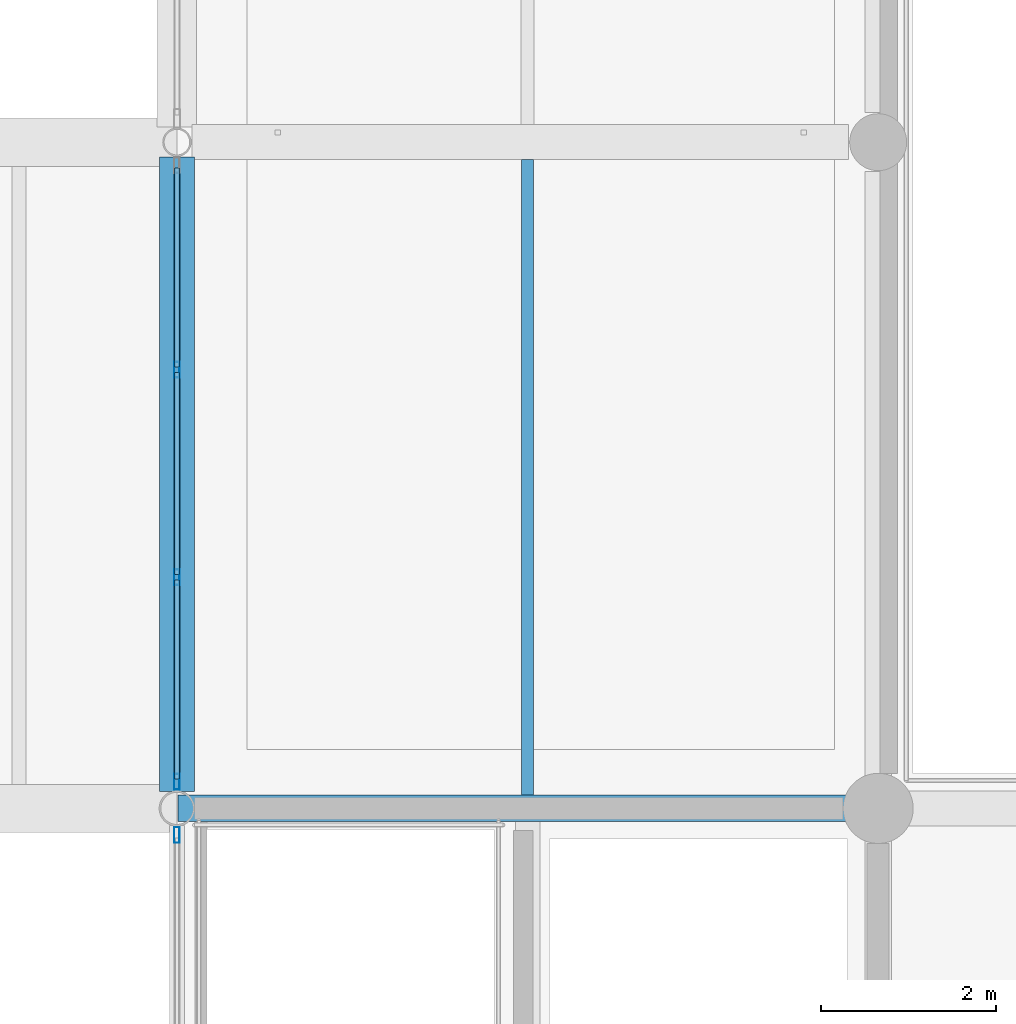
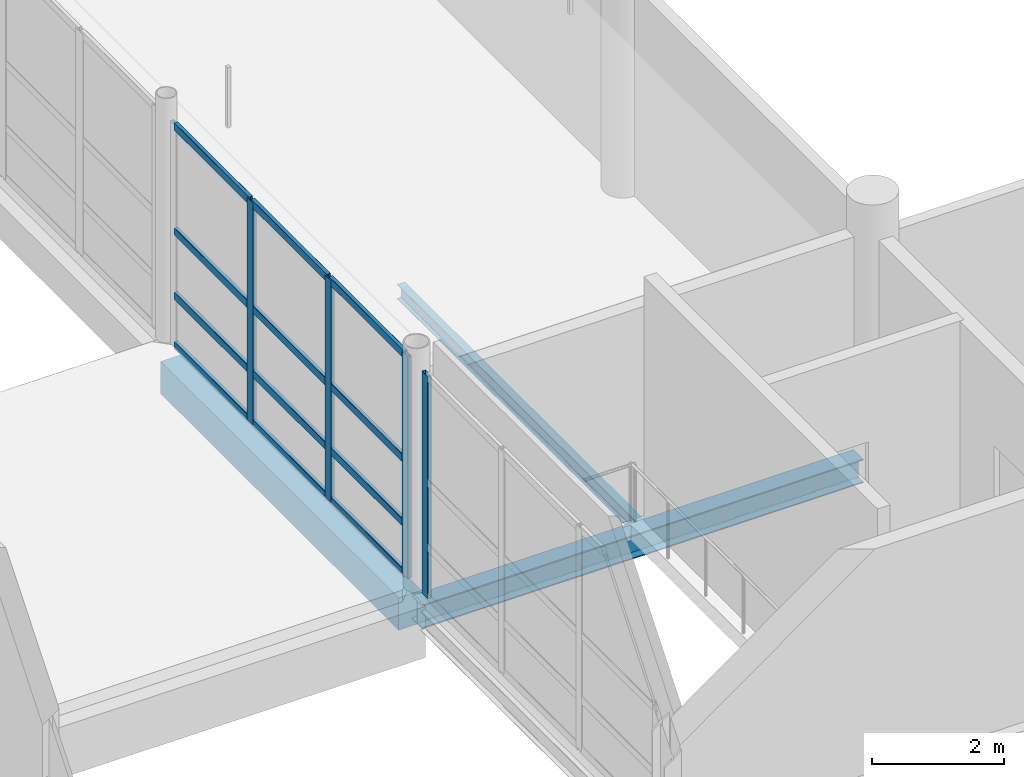
# One storey, part 29 of 107: 16 members, 3 beams, 2 elements without a shape of their own.
"""IFC4 building model written with IfcOpenShell, lengths in metres."""

from ifc_helpers import new_model, si_unit, direction, frame, origin, origin_2d, place, context, subcontext, project, spatial, rectangle, hollow_rectangle, i_section, extrude, material, material_profile, profile_set, type_object, element, aggregate, save


model = new_model("IFC4")

# Units and contexts
model_context = context("Model", 3, precision=1e-05, world=origin(), true_north=direction((0.0, 1.0)))
body_context = subcontext(model_context, "Body", "Model", "MODEL_VIEW")
ifc_project = project(units=[si_unit("LENGTHUNIT", "METRE"), si_unit("AREAUNIT", "SQUARE_METRE"), si_unit("VOLUMEUNIT", "CUBIC_METRE"), si_unit("PLANEANGLEUNIT", "RADIAN"), si_unit("MASSUNIT", "GRAM", prefix="KILO")], contexts=[model_context])

# Site, building, storey
site_placement = place(None, origin())
site = spatial("IfcSite", under=ifc_project, at=site_placement, CompositionType="ELEMENT")
building_placement = place(site_placement, origin())
building = spatial("IfcBuilding", under=site, at=building_placement, Name="Khelvaren Railside Concert Hall", CompositionType="ELEMENT")
storey_placement = place(building_placement, frame((0.0, 0.0, 15.0)))
storey = spatial("IfcBuildingStorey", under=building, at=storey_placement, Name="L03", CompositionType="ELEMENT", Elevation=15.0)

# Beam
ifc_material_1 = material(Name="Steel S355", Category="steel")
ifc_material_profile_1 = material_profile(ifc_material_1, i_section(OverallWidth=0.300048828125, OverallDepth=0.43994140625, WebThickness=0.011474609375, FlangeThickness=0.02099609375, FilletRadius=0.027099609375, at=origin_2d()), Name="HEA 450")
ifc_profile_set_1 = profile_set([ifc_material_profile_1], Name="Steel S355")
beam_type_1 = type_object("IfcBeamType", Name="BM89", PredefinedType="BEAM", material=ifc_profile_set_1)
beam_1_placement = place(storey_placement, frame((144.010009765625, 7.60009765625, -0.5), z_axis=(1.0, 0.0, 0.0), x_axis=(0.0, 1.0, 0.0)))
element("IfcBeam", 1, at=beam_1_placement, inside=storey, type_object=beam_type_1, Name="V2 L03 Beam X2.1", PredefinedType="BEAM", context=body_context, shape_type="SweptSolid", body=[
    extrude(i_section(OverallWidth=0.300048828125, OverallDepth=0.43994140625, WebThickness=0.011474609375, FlangeThickness=0.02099609375, FilletRadius=0.027099609375, at=origin_2d()), origin(), (0.0, 0.0, 1.0), 7.739990234375),
])

# Curtain wall, member
ifc_material_2 = material(Name="Double-glazed low-E dark acoustic glass", Category="glass")
curtain_wall_type_1 = type_object("IfcCurtainWallType", Name="CW94", PredefinedType="USERDEFINED", material=ifc_material_2)
curtain_wall_1_placement = place(storey_placement, origin())
curtain_wall_1 = element("IfcCurtainWall", 2, at=curtain_wall_1_placement, inside=storey, type_object=curtain_wall_type_1, Name="Unitised Curtain Wall CW-V2-L03-W-0", ObjectType="UNITISED CURTAIN WALL", PredefinedType="USERDEFINED")
ifc_material_3 = material(Name="Anodised architectural aluminium 6063-T6", Category="aluminium")
ifc_material_profile_2 = material_profile(ifc_material_3, hollow_rectangle(XDim=0.06494140625, YDim=0.179931640625, WallThickness=0.00390625, InnerFilletRadius=0.001953125, OuterFilletRadius=0.00390625, at=origin_2d()), Name="CWM 65x180x4")
ifc_profile_set_2 = profile_set([ifc_material_profile_2], Name="Anodised architectural aluminium 6063-T6")
member_type_1 = type_object("IfcMemberType", Name="CWM63", PredefinedType="MULLION", material=ifc_profile_set_2)
member_1_placement = place(storey_placement, frame((144.0, 7.296875, 0.0), z_axis=(0.0, 0.0, 1.0), x_axis=(-1.0, 0.0, 0.0)))
member_1 = element("IfcMember", 3, at=member_1_placement, type_object=member_type_1, Name="CW94 mullion 4", PredefinedType="MULLION", context=body_context, shape_type="SweptSolid", body=[
    extrude(hollow_rectangle(XDim=0.06494140625, YDim=0.179931640625, WallThickness=0.00390625, InnerFilletRadius=0.001953125, OuterFilletRadius=0.00390625, at=origin_2d()), origin(), (0.0, 0.0, 1.0), 4.1201171875),
])
aggregate(curtain_wall_1, [member_1])

# Curtain wall, members
curtain_wall_type_2 = type_object("IfcCurtainWallType", Name="CW65", PredefinedType="USERDEFINED", material=ifc_material_2)
curtain_wall_2_placement = place(storey_placement, origin())
curtain_wall_2 = element("IfcCurtainWall", 4, at=curtain_wall_2_placement, inside=storey, type_object=curtain_wall_type_2, Name="Unitised Curtain Wall CW-V2-L03-W-8", ObjectType="UNITISED CURTAIN WALL", PredefinedType="USERDEFINED")
member_2_placement = place(storey_placement, frame((144.0, 7.9033203125, 0.0), z_axis=(0.0, 0.0, 1.0), x_axis=(-1.0, 0.0, 0.0)))
member_2 = element("IfcMember", 5, at=member_2_placement, type_object=member_type_1, Name="CW65 mullion 1", PredefinedType="MULLION", context=body_context, shape_type="SweptSolid", body=[
    extrude(hollow_rectangle(XDim=0.06494140625, YDim=0.179931640625, WallThickness=0.00390625, InnerFilletRadius=0.001953125, OuterFilletRadius=0.00390625, at=origin_2d()), origin(), (0.0, 0.0, 1.0), 4.1201171875),
])
member_3_placement = place(storey_placement, frame((144.0, 10.2373046875, 0.0), z_axis=(0.0, 0.0, 1.0), x_axis=(-1.0, 0.0, 0.0)))
member_3 = element("IfcMember", 6, at=member_3_placement, type_object=member_type_1, Name="CW65 mullion 2", PredefinedType="MULLION", context=body_context, shape_type="SweptSolid", body=[
    extrude(hollow_rectangle(XDim=0.06494140625, YDim=0.179931640625, WallThickness=0.00390625, InnerFilletRadius=0.001953125, OuterFilletRadius=0.00390625, at=origin_2d()), origin(), (0.0, 0.0, 1.0), 4.1201171875),
])
member_4_placement = place(storey_placement, frame((144.0, 12.60400390625, 0.0), z_axis=(0.0, 0.0, 1.0), x_axis=(-1.0, 0.0, 0.0)))
member_4 = element("IfcMember", 7, at=member_4_placement, type_object=member_type_1, Name="CW65 mullion 3", PredefinedType="MULLION", context=body_context, shape_type="SweptSolid", body=[
    extrude(hollow_rectangle(XDim=0.06494140625, YDim=0.179931640625, WallThickness=0.00390625, InnerFilletRadius=0.001953125, OuterFilletRadius=0.00390625, at=origin_2d()), origin(), (0.0, 0.0, 1.0), 4.1201171875),
])
ifc_material_profile_3 = material_profile(ifc_material_3, hollow_rectangle(XDim=0.06494140625, YDim=0.139892578125, WallThickness=0.00390625, InnerFilletRadius=0.001953125, OuterFilletRadius=0.00390625, at=origin_2d()), Name="CWT 65x140x4")
ifc_profile_set_3 = profile_set([ifc_material_profile_3], Name="Anodised architectural aluminium 6063-T6")
member_type_2 = type_object("IfcMemberType", Name="CWT72", PredefinedType="USERDEFINED", material=ifc_profile_set_3)
member_5_placement = place(storey_placement, frame((144.0, 7.935791015625, 0.032470703125), z_axis=(0.0, 1.0, 0.0), x_axis=(-1.0, 0.0, 0.0)))
member_5 = element("IfcMember", 8, at=member_5_placement, type_object=member_type_2, Name="CW65 transom 1.1", ObjectType="TRANSOM", PredefinedType="USERDEFINED", context=body_context, shape_type="SweptSolid", body=[
    extrude(hollow_rectangle(XDim=0.06494140625, YDim=0.139892578125, WallThickness=0.00390625, InnerFilletRadius=0.001953125, OuterFilletRadius=0.00390625, at=origin_2d()), origin(), (0.0, 0.0, 1.0), 2.26904296875),
])
member_6_placement = place(storey_placement, frame((144.0, 7.935791015625, 0.949951171875), z_axis=(0.0, 1.0, 0.0), x_axis=(-1.0, 0.0, 0.0)))
member_6 = element("IfcMember", 9, at=member_6_placement, type_object=member_type_2, Name="CW65 transom 1.2", ObjectType="TRANSOM", PredefinedType="USERDEFINED", context=body_context, shape_type="SweptSolid", body=[
    extrude(hollow_rectangle(XDim=0.06494140625, YDim=0.139892578125, WallThickness=0.00390625, InnerFilletRadius=0.001953125, OuterFilletRadius=0.00390625, at=origin_2d()), origin(), (0.0, 0.0, 1.0), 2.26904296875),
])
member_7_placement = place(storey_placement, frame((144.0, 7.935791015625, 2.142333984375), z_axis=(0.0, 1.0, 0.0), x_axis=(-1.0, 0.0, 0.0)))
member_7 = element("IfcMember", 10, at=member_7_placement, type_object=member_type_2, Name="CW65 transom 1.3", ObjectType="TRANSOM", PredefinedType="USERDEFINED", context=body_context, shape_type="SweptSolid", body=[
    extrude(hollow_rectangle(XDim=0.06494140625, YDim=0.139892578125, WallThickness=0.00390625, InnerFilletRadius=0.001953125, OuterFilletRadius=0.00390625, at=origin_2d()), origin(), (0.0, 0.0, 1.0), 2.26904296875),
])
member_8_placement = place(storey_placement, frame((144.0, 7.935791015625, 4.08740234375), z_axis=(0.0, 1.0, 0.0), x_axis=(-1.0, 0.0, 0.0)))
member_8 = element("IfcMember", 11, at=member_8_placement, type_object=member_type_2, Name="CW65 transom 1.4", ObjectType="TRANSOM", PredefinedType="USERDEFINED", context=body_context, shape_type="SweptSolid", body=[
    extrude(hollow_rectangle(XDim=0.06494140625, YDim=0.139892578125, WallThickness=0.00390625, InnerFilletRadius=0.001953125, OuterFilletRadius=0.00390625, at=origin_2d()), origin(), (0.0, 0.0, 1.0), 2.26904296875),
])
member_9_placement = place(storey_placement, frame((144.0, 10.269775390625, 0.032470703125), z_axis=(0.0, 1.0, 0.0), x_axis=(-1.0, 0.0, 0.0)))
member_9 = element("IfcMember", 12, at=member_9_placement, type_object=member_type_2, Name="CW65 transom 2.1", ObjectType="TRANSOM", PredefinedType="USERDEFINED", context=body_context, shape_type="SweptSolid", body=[
    extrude(hollow_rectangle(XDim=0.06494140625, YDim=0.139892578125, WallThickness=0.00390625, InnerFilletRadius=0.001953125, OuterFilletRadius=0.00390625, at=origin_2d()), origin(), (0.0, 0.0, 1.0), 2.301513671875),
])
member_10_placement = place(storey_placement, frame((144.0, 10.269775390625, 0.949951171875), z_axis=(0.0, 1.0, 0.0), x_axis=(-1.0, 0.0, 0.0)))
member_10 = element("IfcMember", 13, at=member_10_placement, type_object=member_type_2, Name="CW65 transom 2.2", ObjectType="TRANSOM", PredefinedType="USERDEFINED", context=body_context, shape_type="SweptSolid", body=[
    extrude(hollow_rectangle(XDim=0.06494140625, YDim=0.139892578125, WallThickness=0.00390625, InnerFilletRadius=0.001953125, OuterFilletRadius=0.00390625, at=origin_2d()), origin(), (0.0, 0.0, 1.0), 2.301513671875),
])
member_11_placement = place(storey_placement, frame((144.0, 10.269775390625, 2.142333984375), z_axis=(0.0, 1.0, 0.0), x_axis=(-1.0, 0.0, 0.0)))
member_11 = element("IfcMember", 14, at=member_11_placement, type_object=member_type_2, Name="CW65 transom 2.3", ObjectType="TRANSOM", PredefinedType="USERDEFINED", context=body_context, shape_type="SweptSolid", body=[
    extrude(hollow_rectangle(XDim=0.06494140625, YDim=0.139892578125, WallThickness=0.00390625, InnerFilletRadius=0.001953125, OuterFilletRadius=0.00390625, at=origin_2d()), origin(), (0.0, 0.0, 1.0), 2.301513671875),
])
member_12_placement = place(storey_placement, frame((144.0, 10.269775390625, 4.08740234375), z_axis=(0.0, 1.0, 0.0), x_axis=(-1.0, 0.0, 0.0)))
member_12 = element("IfcMember", 15, at=member_12_placement, type_object=member_type_2, Name="CW65 transom 2.4", ObjectType="TRANSOM", PredefinedType="USERDEFINED", context=body_context, shape_type="SweptSolid", body=[
    extrude(hollow_rectangle(XDim=0.06494140625, YDim=0.139892578125, WallThickness=0.00390625, InnerFilletRadius=0.001953125, OuterFilletRadius=0.00390625, at=origin_2d()), origin(), (0.0, 0.0, 1.0), 2.301513671875),
])
member_13_placement = place(storey_placement, frame((144.0, 12.636474609375, 0.032470703125), z_axis=(0.0, 1.0, 0.0), x_axis=(-1.0, 0.0, 0.0)))
member_13 = element("IfcMember", 16, at=member_13_placement, type_object=member_type_2, Name="CW65 transom 3.1", ObjectType="TRANSOM", PredefinedType="USERDEFINED", context=body_context, shape_type="SweptSolid", body=[
    extrude(hollow_rectangle(XDim=0.06494140625, YDim=0.139892578125, WallThickness=0.00390625, InnerFilletRadius=0.001953125, OuterFilletRadius=0.00390625, at=origin_2d()), origin(), (0.0, 0.0, 1.0), 2.26904296875),
])
member_14_placement = place(storey_placement, frame((144.0, 12.636474609375, 0.949951171875), z_axis=(0.0, 1.0, 0.0), x_axis=(-1.0, 0.0, 0.0)))
member_14 = element("IfcMember", 17, at=member_14_placement, type_object=member_type_2, Name="CW65 transom 3.2", ObjectType="TRANSOM", PredefinedType="USERDEFINED", context=body_context, shape_type="SweptSolid", body=[
    extrude(hollow_rectangle(XDim=0.06494140625, YDim=0.139892578125, WallThickness=0.00390625, InnerFilletRadius=0.001953125, OuterFilletRadius=0.00390625, at=origin_2d()), origin(), (0.0, 0.0, 1.0), 2.26904296875),
])
member_15_placement = place(storey_placement, frame((144.0, 12.636474609375, 2.142333984375), z_axis=(0.0, 1.0, 0.0), x_axis=(-1.0, 0.0, 0.0)))
member_15 = element("IfcMember", 18, at=member_15_placement, type_object=member_type_2, Name="CW65 transom 3.3", ObjectType="TRANSOM", PredefinedType="USERDEFINED", context=body_context, shape_type="SweptSolid", body=[
    extrude(hollow_rectangle(XDim=0.06494140625, YDim=0.139892578125, WallThickness=0.00390625, InnerFilletRadius=0.001953125, OuterFilletRadius=0.00390625, at=origin_2d()), origin(), (0.0, 0.0, 1.0), 2.26904296875),
])
member_16_placement = place(storey_placement, frame((144.0, 12.636474609375, 4.08740234375), z_axis=(0.0, 1.0, 0.0), x_axis=(-1.0, 0.0, 0.0)))
member_16 = element("IfcMember", 19, at=member_16_placement, type_object=member_type_2, Name="CW65 transom 3.4", ObjectType="TRANSOM", PredefinedType="USERDEFINED", context=body_context, shape_type="SweptSolid", body=[
    extrude(hollow_rectangle(XDim=0.06494140625, YDim=0.139892578125, WallThickness=0.00390625, InnerFilletRadius=0.001953125, OuterFilletRadius=0.00390625, at=origin_2d()), origin(), (0.0, 0.0, 1.0), 2.26904296875),
])
aggregate(curtain_wall_2, [member_2, member_3, member_4, member_5, member_6, member_7, member_8, member_9, member_10, member_11, member_12, member_13, member_14, member_15, member_16])

# Beams
ifc_material_profile_4 = material_profile(ifc_material_1, i_section(OverallWidth=0.135009765625, OverallDepth=0.27001953125, WebThickness=0.006591796875, FlangeThickness=0.01025390625, FilletRadius=0.014892578125, at=origin_2d()), Name="IPE 270")
ifc_profile_set_4 = profile_set([ifc_material_profile_4], Name="Steel S355")
beam_type_2 = type_object("IfcBeamType", Name="JS78", PredefinedType="JOIST", material=ifc_profile_set_4)
beam_2_placement = place(storey_placement, frame((148.0, 7.75, -0.4150390625), z_axis=(0.0, 1.0, 0.0), x_axis=(-1.0, 0.0, 0.0)))
element("IfcBeam", 20, at=beam_2_placement, inside=storey, type_object=beam_type_2, Name="V2 L03 Secondary Joist 1.2", PredefinedType="JOIST", context=body_context, shape_type="SweptSolid", body=[
    extrude(i_section(OverallWidth=0.135009765625, OverallDepth=0.27001953125, WebThickness=0.006591796875, FlangeThickness=0.01025390625, FilletRadius=0.014892578125, at=origin_2d()), origin(), (0.0, 0.0, 1.0), 7.25),
])
ifc_material_4 = material(Name="Concrete C40/50", Category="concrete")
ifc_material_profile_5 = material_profile(ifc_material_4, rectangle(XDim=0.39990234375, YDim=0.60009765625, at=origin_2d()), Name="RCB 400x600")
ifc_profile_set_5 = profile_set([ifc_material_profile_5], Name="Concrete C40/50")
beam_type_3 = type_object("IfcBeamType", Name="SP75", PredefinedType="SPANDREL", material=ifc_profile_set_5)
beam_3_placement = place(storey_placement, frame((144.0, 7.794921875, -0.580078125), z_axis=(0.0, 1.0, 0.0), x_axis=(-1.0, 0.0, 0.0)))
element("IfcBeam", 21, at=beam_3_placement, inside=storey, type_object=beam_type_3, Name="V2 L03 Spandrel Y1.2", PredefinedType="SPANDREL", context=body_context, shape_type="SweptSolid", body=[
    extrude(rectangle(XDim=0.39990234375, YDim=0.60009765625, at=origin_2d()), origin(), (0.0, 0.0, 1.0), 7.234375),
])

save(model, "model.ifc")
